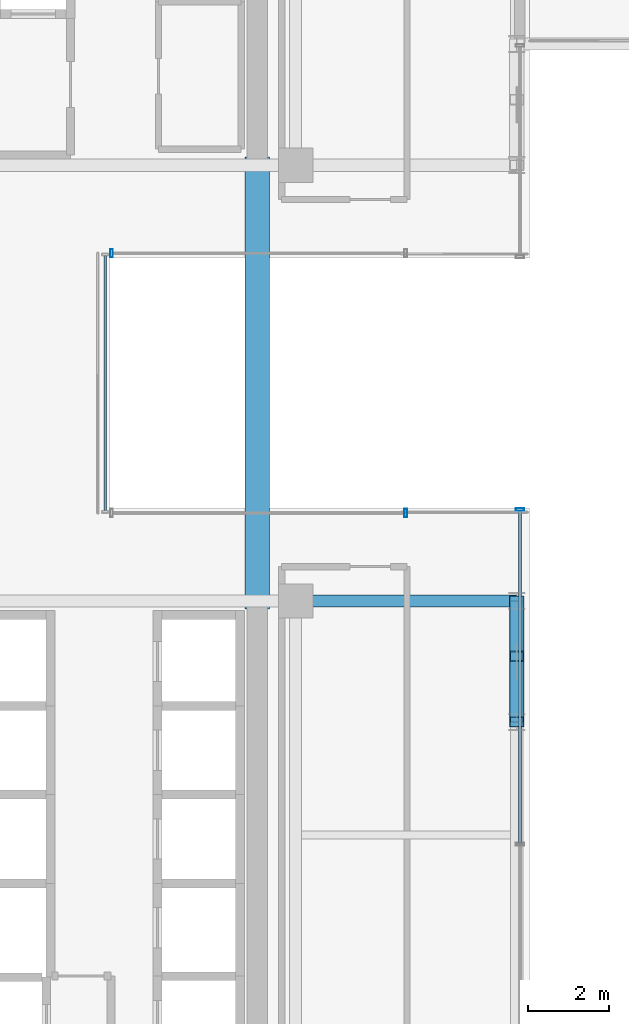
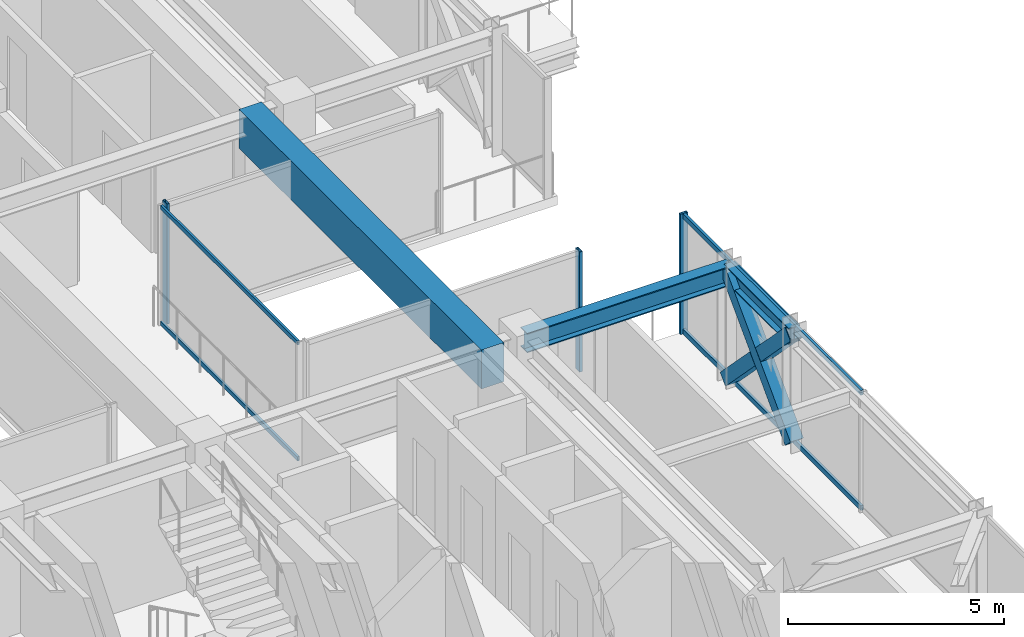
# One storey, part 16 of 38: 10 members, 3 beams, 4 elements without a shape of their own.
"""IFC4 building model written with IfcOpenShell, lengths in metres."""

from ifc_helpers import new_model, si_unit, direction, frame, origin, origin_2d, place, context, subcontext, project, spatial, rectangle, hollow_rectangle, i_section, extrude, source, transform, mapped, material, material_profile, profile_set, type_object, element, aggregate, save


model = new_model("IFC4")

# Units and contexts
model_context = context("Model", 3, precision=1e-05, world=origin(), true_north=direction((0.0, 1.0)))
body_context = subcontext(model_context, "Body", "Model", "MODEL_VIEW")
ifc_project = project(units=[si_unit("LENGTHUNIT", "METRE"), si_unit("AREAUNIT", "SQUARE_METRE"), si_unit("VOLUMEUNIT", "CUBIC_METRE"), si_unit("PLANEANGLEUNIT", "RADIAN"), si_unit("MASSUNIT", "GRAM", prefix="KILO")], contexts=[model_context])

# Site, building, storey
site_placement = place(None, origin())
site = spatial("IfcSite", under=ifc_project, at=site_placement, CompositionType="ELEMENT")
building_placement = place(site_placement, origin())
building = spatial("IfcBuilding", under=site, at=building_placement, Name="Nahalor Promenade Grand Hotel", CompositionType="ELEMENT")
storey_placement = place(building_placement, frame((0.0, 0.0, 178.199951171875)))
storey = spatial("IfcBuildingStorey", under=building, at=storey_placement, Name="L45", CompositionType="ELEMENT", Elevation=178.199951171875)

# Beams
ifc_material_1 = material(Name="Concrete B-60 (C50/60)", Category="concrete")
ifc_material_profile_1 = material_profile(ifc_material_1, rectangle(XDim=0.6, YDim=1.1, at=origin_2d()), Name="RC 600x1100")
ifc_profile_set_1 = profile_set([ifc_material_profile_1], Name="Concrete B-60 (C50/60)")
beam_type_1 = type_object("IfcBeamType", Name="Beam-Lintel-RC1100", PredefinedType="LINTEL", material=ifc_profile_set_1)
shared_shape_1 = source(origin(), body_context, "Body", "SweptSolid", [
    extrude(rectangle(XDim=0.6, YDim=1.1, at=origin_2d()), origin(), (0.0, 0.0, 1.0), 11.2001953125),
])
beam_1_placement = place(storey_placement, frame((16.050048828125, -5.60009765625, 2.840087890625), z_axis=(0.0, 1.0, 0.0), x_axis=(-1.0, 0.0, 0.0)))
element("IfcBeam", 1, at=beam_1_placement, inside=storey, type_object=beam_type_1, Name="BM-L45-LINT-E", PredefinedType="LINTEL", context=body_context, shape_type="MappedRepresentation", body=[
    mapped(shared_shape_1, transform((0.0, 0.0, 0.0), scale=1.0)),
])
ifc_material_2 = material(Name="Steel S355JR", Category="steel")
ifc_material_profile_2 = material_profile(ifc_material_2, i_section(OverallWidth=0.3, OverallDepth=0.55, WebThickness=0.015, FlangeThickness=0.029, at=origin_2d()), Name="HEB 550")
ifc_profile_set_2 = profile_set([ifc_material_profile_2], Name="Steel S355JR")
beam_type_2 = type_object("IfcBeamType", Name="Beam-Girder-HEB550", PredefinedType="BEAM", material=ifc_profile_set_2)
shared_shape_2 = source(origin(), body_context, "Body", "SweptSolid", [
    extrude(i_section(OverallWidth=0.3, OverallDepth=0.55, WebThickness=0.015, FlangeThickness=0.029, at=origin_2d()), origin(), (0.0, 0.0, 1.0), 5.47998046875),
])
beam_2_placement = place(storey_placement, frame((17.0, -5.39990234375, 3.114990234375), z_axis=(1.0, 0.0, 0.0), x_axis=(0.0, 1.0, 0.0)))
element("IfcBeam", 2, at=beam_2_placement, inside=storey, type_object=beam_type_2, Name="BM-L45-GX-1-6", PredefinedType="BEAM", context=body_context, shape_type="MappedRepresentation", body=[
    mapped(shared_shape_2, transform((0.0, 0.0, 0.0), scale=1.0)),
])
ifc_material_profile_3 = material_profile(ifc_material_2, i_section(OverallWidth=0.3, OverallDepth=0.45, WebThickness=0.014, FlangeThickness=0.026, at=origin_2d()), Name="HEB 450")
ifc_profile_set_3 = profile_set([ifc_material_profile_3], Name="Steel S355JR")
beam_type_3 = type_object("IfcBeamType", Name="Beam-Spandrel-HEB450", PredefinedType="SPANDREL", material=ifc_profile_set_3)
shared_shape_3 = source(origin(), body_context, "Body", "SweptSolid", [
    extrude(i_section(OverallWidth=0.3, OverallDepth=0.45, WebThickness=0.014, FlangeThickness=0.026, at=origin_2d()), origin(), (0.0, 0.0, 1.0), 3.0),
])
beam_3_placement = place(storey_placement, frame((22.47998046875, -8.39990234375, 3.1650390625), z_axis=(0.0, 1.0, 0.0), x_axis=(-1.0, 0.0, 0.0)))
element("IfcBeam", 3, at=beam_3_placement, inside=storey, type_object=beam_type_3, Name="BM-L45-SP-E-1", PredefinedType="SPANDREL", context=body_context, shape_type="MappedRepresentation", body=[
    mapped(shared_shape_3, transform((0.0, 0.0, 0.0), scale=1.0)),
])

# Members
ifc_material_profile_4 = material_profile(ifc_material_2, hollow_rectangle(XDim=0.35, YDim=0.35, WallThickness=0.02, at=origin_2d()), Name="SHS 350x350x20")
ifc_profile_set_4 = profile_set([ifc_material_profile_4], Name="Steel S355JR")
member_type_1 = type_object("IfcMemberType", Name="Mem-VoidBrace-SHS350", PredefinedType="BRACE", material=ifc_profile_set_4)
shared_shape_4 = source(origin(), body_context, "Body", "SweptSolid", [
    extrude(hollow_rectangle(XDim=0.35, YDim=0.35, WallThickness=0.02, at=origin_2d()), origin(), (0.0, 0.0, 1.0), 4.306640625),
])
member_1_placement = place(storey_placement, frame((22.47998046875, -8.39990234375, 0.150146484375), z_axis=(0.0, 0.696598997639, 0.717460686371), x_axis=(-1.0, 0.0, 0.0)))
element("IfcMember", 4, at=member_1_placement, inside=storey, type_object=member_type_1, Name="EXO-L45-VX1-E0", PredefinedType="BRACE", context=body_context, shape_type="MappedRepresentation", body=[
    mapped(shared_shape_4, transform((0.0, 0.0, 0.0), scale=1.0)),
])
shared_shape_5 = source(origin(), body_context, "Body", "SweptSolid", [
    extrude(hollow_rectangle(XDim=0.35, YDim=0.35, WallThickness=0.02, at=origin_2d()), origin(), (0.0, 0.0, 1.0), 1.96630859375),
])
member_2_placement = place(storey_placement, frame((22.47998046875, -5.39990234375, 0.150146484375), z_axis=(0.0, -0.696663391113, 0.71739815966), x_axis=(1.0, 0.0, 0.0)))
element("IfcMember", 5, at=member_2_placement, inside=storey, type_object=member_type_1, Name="EXO-L45-VX2-E0A", PredefinedType="BRACE", context=body_context, shape_type="MappedRepresentation", body=[
    mapped(shared_shape_5, transform((0.0, 0.0, 0.0), scale=1.0)),
])
shared_shape_6 = source(origin(), body_context, "Body", "SweptSolid", [
    extrude(hollow_rectangle(XDim=0.35, YDim=0.35, WallThickness=0.02, at=origin_2d()), origin(), (0.0, 0.0, 1.0), 1.966064453125),
])
member_3_placement = place(storey_placement, frame((22.47998046875, -7.0302734375, 1.829345703125), z_axis=(0.0, -0.696599482471, 0.717460215636), x_axis=(1.0, 0.0, 0.0)))
element("IfcMember", 6, at=member_3_placement, inside=storey, type_object=member_type_1, Name="EXO-L45-VX2-E0B", PredefinedType="BRACE", context=body_context, shape_type="MappedRepresentation", body=[
    mapped(shared_shape_6, transform((0.0, 0.0, 0.0), scale=1.0)),
])

# Curtain wall, members
ifc_material_3 = material(Name="Anodised Bronze Aluminium EN AW-6063 T6", Category="aluminium")
curtain_wall_type_1 = type_object("IfcCurtainWallType", Name="CW4 Low-Iron Sky-Gallery Bridge Curtain Wall", PredefinedType="USERDEFINED", material=ifc_material_3)
curtain_wall_1_placement = place(storey_placement, origin())
curtain_wall_1 = element("IfcCurtainWall", 7, at=curtain_wall_1_placement, inside=storey, type_object=curtain_wall_type_1, Name="L45 Curtain Wall CW-L45-BRG-E", ObjectType="UNITISED_CURTAIN_WALL", PredefinedType="USERDEFINED")
ifc_material_profile_5 = material_profile(ifc_material_3, hollow_rectangle(XDim=0.06, YDim=0.12, WallThickness=0.004, at=origin_2d()), Name="CWT 60x120x4")
ifc_profile_set_5 = profile_set([ifc_material_profile_5], Name="Anodised Bronze Aluminium EN AW-6063 T6")
member_type_2 = type_object("IfcMemberType", Name="CWT4 Sky-Gallery Slim Transom 60x120", PredefinedType="USERDEFINED", material=ifc_profile_set_5)
shared_shape_7 = source(origin(), body_context, "Body", "SweptSolid", [
    extrude(hollow_rectangle(XDim=0.06, YDim=0.12, WallThickness=0.004, at=origin_2d()), origin(), (0.0, 0.0, 1.0), 6.31982421875),
])
member_4_placement = place(storey_placement, frame((12.280029296875, -3.159912109375, 0.06005859375), z_axis=(0.0, 1.0, 0.0), x_axis=(-1.0, 0.0, 0.0)))
member_4 = element("IfcMember", 8, at=member_4_placement, type_object=member_type_2, Name="CW-L45-BRG-E Transom 0-0", ObjectType="TRANSOM", PredefinedType="USERDEFINED", context=body_context, shape_type="MappedRepresentation", body=[
    mapped(shared_shape_7, transform((0.0, 0.0, 0.0), scale=1.0)),
])
member_5_placement = place(storey_placement, frame((12.280029296875, -3.159912109375, 3.330078125), z_axis=(0.0, 1.0, 0.0), x_axis=(-1.0, 0.0, 0.0)))
member_5 = element("IfcMember", 9, at=member_5_placement, type_object=member_type_2, Name="CW-L45-BRG-E Transom 0-1", ObjectType="TRANSOM", PredefinedType="USERDEFINED", context=body_context, shape_type="MappedRepresentation", body=[
    mapped(shared_shape_7, transform((0.0, 0.0, 0.0), scale=1.0)),
])
aggregate(curtain_wall_1, [member_4, member_5])

# Curtain wall, member
curtain_wall_type_2 = type_object("IfcCurtainWallType", Name="CW3 Elliptical-Void Collar Unitised Curtain Wall", PredefinedType="USERDEFINED", material=ifc_material_3)
curtain_wall_2_placement = place(storey_placement, origin())
curtain_wall_2 = element("IfcCurtainWall", 10, at=curtain_wall_2_placement, inside=storey, type_object=curtain_wall_type_2, Name="L45 Curtain Wall CW-L45-E-1", ObjectType="UNITISED_CURTAIN_WALL", PredefinedType="USERDEFINED")
ifc_material_profile_6 = material_profile(ifc_material_3, hollow_rectangle(XDim=0.07, YDim=0.2, WallThickness=0.005, at=origin_2d()), Name="CWM 70x200x5")
ifc_profile_set_6 = profile_set([ifc_material_profile_6], Name="Anodised Bronze Aluminium EN AW-6063 T6")
member_type_3 = type_object("IfcMemberType", Name="CWM3 Void Collar Mullion 70x200", PredefinedType="MULLION", material=ifc_profile_set_6)
shared_shape_8 = source(origin(), body_context, "Body", "SweptSolid", [
    extrude(hollow_rectangle(XDim=0.07, YDim=0.2, WallThickness=0.005, at=origin_2d()), origin(), (0.0, 0.0, 1.0), 3.39013671875),
])
member_6_placement = place(storey_placement, frame((22.56005859375, -3.135009765625, 0.0), z_axis=(0.0, 0.0, 1.0), x_axis=(0.0, 1.0, 0.0)))
member_6 = element("IfcMember", 11, at=member_6_placement, type_object=member_type_3, Name="CW-L45-E-1 Mullion 2", PredefinedType="MULLION", context=body_context, shape_type="MappedRepresentation", body=[
    mapped(shared_shape_8, transform((0.0, 0.0, 0.0), scale=1.0)),
])

curtain_wall_3_placement = place(storey_placement, origin())
curtain_wall_3 = element("IfcCurtainWall", 12, at=curtain_wall_3_placement, inside=storey, type_object=curtain_wall_type_2, Name="L45 Curtain Wall CW-L45-VOID-ES1", ObjectType="UNITISED_CURTAIN_WALL", PredefinedType="USERDEFINED")
member_7_placement = place(storey_placement, frame((19.72509765625, -3.219970703125, 0.0), z_axis=(0.0, 0.0, 1.0), x_axis=(1.0, 0.0, 0.0)))
member_7 = element("IfcMember", 13, at=member_7_placement, type_object=member_type_3, Name="CW-L45-VOID-ES1 Mullion 1", PredefinedType="MULLION", context=body_context, shape_type="MappedRepresentation", body=[
    mapped(shared_shape_8, transform((0.0, 0.0, 0.0), scale=1.0)),
])
aggregate(curtain_wall_3, [member_7])

curtain_wall_4_placement = place(storey_placement, origin())
curtain_wall_4 = element("IfcCurtainWall", 14, at=curtain_wall_4_placement, inside=storey, type_object=curtain_wall_type_2, Name="L45 Curtain Wall CW-L45-VOID-EN1", ObjectType="UNITISED_CURTAIN_WALL", PredefinedType="USERDEFINED")
member_8_placement = place(storey_placement, frame((12.43505859375, 3.219970703125, 0.0), z_axis=(0.0, 0.0, 1.0), x_axis=(1.0, 0.0, 0.0)))
member_8 = element("IfcMember", 15, at=member_8_placement, type_object=member_type_3, Name="CW-L45-VOID-EN1 Mullion 0", PredefinedType="MULLION", context=body_context, shape_type="MappedRepresentation", body=[
    mapped(shared_shape_8, transform((0.0, 0.0, 0.0), scale=1.0)),
])
aggregate(curtain_wall_4, [member_8])

# Member
ifc_material_profile_7 = material_profile(ifc_material_3, hollow_rectangle(XDim=0.07, YDim=0.14, WallThickness=0.004, at=origin_2d()), Name="CWT 70x140x4")
ifc_profile_set_7 = profile_set([ifc_material_profile_7], Name="Anodised Bronze Aluminium EN AW-6063 T6")
member_type_4 = type_object("IfcMemberType", Name="CWT3 Void Collar Transom 70x140", PredefinedType="USERDEFINED", material=ifc_profile_set_7)
shared_shape_9 = source(origin(), body_context, "Body", "SweptSolid", [
    extrude(hollow_rectangle(XDim=0.07, YDim=0.14, WallThickness=0.004, at=origin_2d()), origin(), (0.0, 0.0, 1.0), 8.22509765625),
])
member_9_placement = place(storey_placement, frame((22.56005859375, -11.39501953125, 0.070068359375), z_axis=(0.0, 1.0, 0.0), x_axis=(-1.0, 0.0, 0.0)))
member_9 = element("IfcMember", 16, at=member_9_placement, type_object=member_type_4, Name="CW-L45-E-1 Transom 1-0", ObjectType="TRANSOM", PredefinedType="USERDEFINED", context=body_context, shape_type="MappedRepresentation", body=[
    mapped(shared_shape_9, transform((0.0, 0.0, 0.0), scale=1.0)),
])

member_10_placement = place(storey_placement, frame((22.56005859375, -11.39501953125, 3.320068359375), z_axis=(0.0, 1.0, 0.0), x_axis=(-1.0, 0.0, 0.0)))
member_10 = element("IfcMember", 17, at=member_10_placement, type_object=member_type_4, Name="CW-L45-E-1 Transom 1-1", ObjectType="TRANSOM", PredefinedType="USERDEFINED", context=body_context, shape_type="MappedRepresentation", body=[
    mapped(shared_shape_9, transform((0.0, 0.0, 0.0), scale=1.0)),
])

aggregate(curtain_wall_2, [member_6, member_9, member_10])

save(model, "model.ifc")
